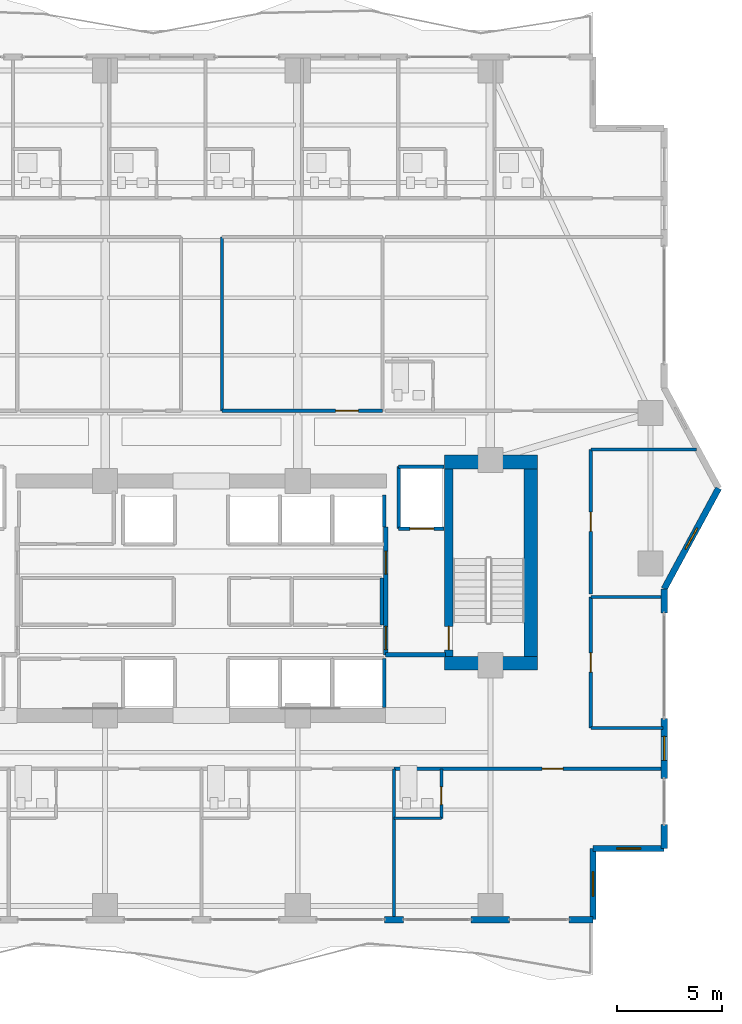
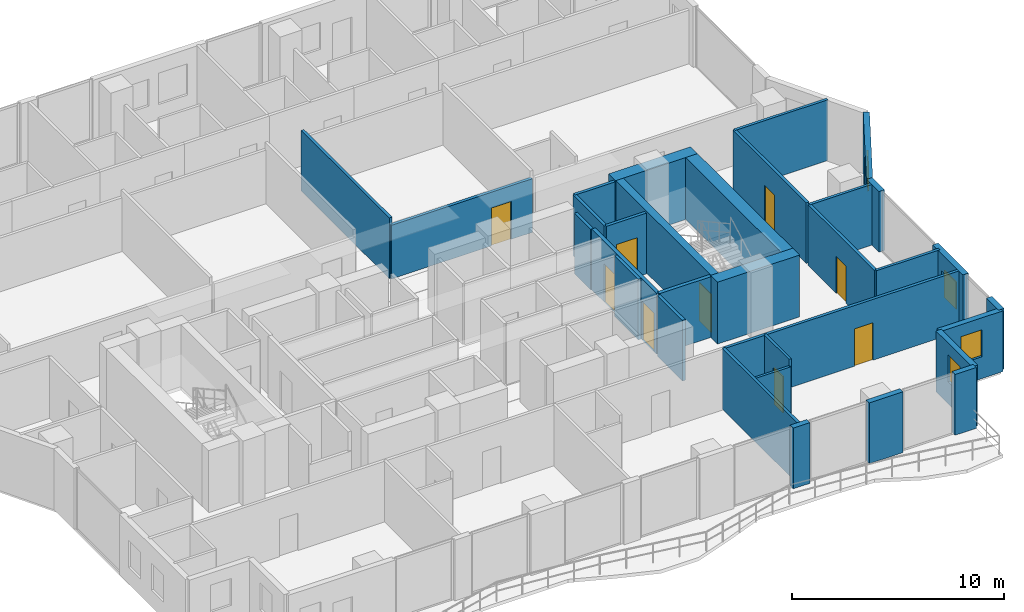
# One storey, part 26 of 33: 32 walls, 9 doors, 4 windows, 13 openings.
"""IFC4 building model written with IfcOpenShell, lengths in metres."""

from ifc_helpers import new_model, si_unit, direction, frame, frame_2d, origin, place, context, subcontext, project, spatial, rectangle, extrude, material, layer, layer_set, type_object, element, fill, save


model = new_model("IFC4")

# Units and contexts
model_context = context("Model", 3, precision=1e-05, world=origin(), true_north=direction((0.0, 1.0)))
body_context = subcontext(model_context, "Body", "Model", "MODEL_VIEW")
ifc_project = project(units=[si_unit("LENGTHUNIT", "METRE"), si_unit("AREAUNIT", "SQUARE_METRE"), si_unit("VOLUMEUNIT", "CUBIC_METRE"), si_unit("PLANEANGLEUNIT", "RADIAN"), si_unit("MASSUNIT", "GRAM", prefix="KILO")], contexts=[model_context])

# Site, building, storey
site_placement = place(None, origin())
site = spatial("IfcSite", under=ifc_project, at=site_placement, CompositionType="ELEMENT")
building_placement = place(site_placement, origin())
building = spatial("IfcBuilding", under=site, at=building_placement, Name="Zuhayl Quay Hotel", CompositionType="ELEMENT")
storey_placement = place(building_placement, frame((0.0, 0.0, 229.89990234375)))
storey = spatial("IfcBuildingStorey", under=building, at=storey_placement, Name="L58", CompositionType="ELEMENT", Elevation=229.89990234375)

# Walls
ifc_material_1 = material(Name="Concrete C50/60", Category="concrete")
ifc_layer_1 = layer(ifc_material_1, 0.64990234375, Name="Concrete C50/60", Category="concrete")
ifc_layer_set_1 = layer_set([ifc_layer_1], Name="Concrete C50/60")
wall_type_1 = type_object("IfcWallType", Name="WL_CORE_650", PredefinedType="SHEAR", material=ifc_layer_set_1)
wall_1_placement = place(storey_placement, frame((11.60009765625, 14.2548828125, 0.0), z_axis=(0.0, 0.0, 1.0), x_axis=(1.0, 0.0, 0.0)))
element("IfcWall", 1, at=wall_1_placement, inside=storey, type_object=wall_type_1, Name="L58 Core Shear Wall CW_NE", PredefinedType="SHEAR", context=body_context, shape_type="SweptSolid", body=[
    extrude(rectangle(XDim=4.4599609375, YDim=0.64990234375, at=frame_2d((2.22998046875, 0.0))), origin(), (0.0, 0.0, 1.0), 3.56005859375),
])
wall_2_placement = place(storey_placement, frame((15.735107421875, 4.969970703125, 0.0), z_axis=(0.0, 0.0, 1.0), x_axis=(0.0, 1.0, 0.0)))
element("IfcWall", 2, at=wall_2_placement, inside=storey, type_object=wall_type_1, Name="L58 Core Shear Wall CW_E", PredefinedType="SHEAR", context=body_context, shape_type="SweptSolid", body=[
    extrude(rectangle(XDim=8.9599609375, YDim=0.64990234375, at=frame_2d((4.47998046875, 0.0))), origin(), (0.0, 0.0, 1.0), 3.56005859375),
])
wall_3_placement = place(storey_placement, frame((11.60009765625, 4.64501953125, 0.0), z_axis=(0.0, 0.0, 1.0), x_axis=(1.0, 0.0, 0.0)))
element("IfcWall", 3, at=wall_3_placement, inside=storey, type_object=wall_type_1, Name="L58 Core Shear Wall CW_SE", PredefinedType="SHEAR", context=body_context, shape_type="SweptSolid", body=[
    extrude(rectangle(XDim=4.4599609375, YDim=0.64990234375, at=frame_2d((2.22998046875, 0.0))), origin(), (0.0, 0.0, 1.0), 3.56005859375),
])

# Wall, opening, window
ifc_material_2 = material(Name="Precast concrete C45/55", Category="concrete")
ifc_layer_2 = layer(ifc_material_2, 0.300048828125, Name="Precast concrete C45/55", Category="concrete")
ifc_layer_set_2 = layer_set([ifc_layer_2], Name="Precast concrete C45/55")
wall_type_2 = type_object("IfcWallType", Name="WL_EXT_300", PredefinedType="STANDARD", material=ifc_layer_set_2)
wall_4_placement = place(storey_placement, frame((24.699951171875, 13.0, 0.0), z_axis=(0.0, 0.0, 1.0), x_axis=(-0.476258655584, -0.879305233114, 0.0)))
wall_4 = element("IfcWall", 4, at=wall_4_placement, inside=storey, type_object=wall_type_2, Name="L58 Exterior Precast Wall ENV_L58_EW13", PredefinedType="STANDARD", context=body_context, shape_type="SweptSolid", body=[
    extrude(rectangle(XDim=5.458984375, YDim=0.300048828125, at=frame_2d((2.7294921875, 0.0))), origin(), (0.0, 0.0, 1.0), 3.489990234375),
])
opening_1_placement = place(wall_4_placement, frame((2.154541015625, 0.0, 1.25)))
opening_1 = element("IfcOpeningElement", 5, at=opening_1_placement, cuts=wall_4, Name="Opening W01N", PredefinedType="OPENING", context=body_context, shape_type="SweptSolid", body=[
    extrude(rectangle(XDim=1.14990234375, YDim=1.550048828125, at=frame_2d((0.574951171875, 0.77490234375))), frame((0.0, 0.159912109375, 0.0), z_axis=(0.0, -1.0, 0.0), x_axis=(1.0, 0.0, 0.0)), (0.0, 0.0, 1.0), 0.320068359375),
])
ifc_material_3 = material(Name="Dark Ceramic-Fritted Solar Glass", Category="glass")
window_type = type_object("IfcWindowType", Name="WN_NOTCH_1350", PartitioningType="SINGLE_PANEL", PredefinedType="WINDOW", material=ifc_material_3)
window_1_placement = place(opening_1_placement, origin())
window_1 = element("IfcWindow", 6, at=window_1_placement, inside=storey, type_object=window_type, Name="L58 Corner Notch Window 13", OverallHeight=1.550048828125, OverallWidth=1.14990234375, PartitioningType="SINGLE_PANEL", PredefinedType="WINDOW", context=body_context, shape_type="SweptSolid", body=[
    extrude(rectangle(XDim=1.14990234375, YDim=1.550048828125, at=frame_2d((0.574951171875, 0.77490234375))), frame((0.0, 0.030029296875, 0.0), z_axis=(0.0, -1.0, 0.0), x_axis=(1.0, 0.0, 0.0)), (0.0, 0.0, 1.0), 0.06005859375),
])
fill(opening_1, window_1)

# Wall
wall_5_placement = place(storey_placement, frame((22.10009765625, 8.199951171875, 0.0), z_axis=(0.0, 0.0, 1.0), x_axis=(0.0, -1.0, 0.0)))
element("IfcWall", 7, at=wall_5_placement, inside=storey, type_object=wall_type_2, Name="L58 Exterior Precast Wall ENV_L58_E14_EW1", PredefinedType="STANDARD", context=body_context, shape_type="SweptSolid", body=[
    extrude(rectangle(XDim=1.14990234375, YDim=0.300048828125, at=frame_2d((0.574951171875, 0.0))), origin(), (0.0, 0.0, 1.0), 3.489990234375),
])

# Wall, opening, window
wall_6_placement = place(storey_placement, frame((22.10009765625, 2.0, 0.0), z_axis=(0.0, 0.0, 1.0), x_axis=(0.0, -1.0, 0.0)))
wall_6 = element("IfcWall", 8, at=wall_6_placement, inside=storey, type_object=wall_type_2, Name="L58 Exterior Precast Wall ENV_L58_E14_EW2", PredefinedType="STANDARD", context=body_context, shape_type="SweptSolid", body=[
    extrude(rectangle(XDim=2.85009765625, YDim=0.300048828125, at=frame_2d((1.425048828125, 0.0))), origin(), (0.0, 0.0, 1.0), 3.489990234375),
])
opening_2_placement = place(wall_6_placement, frame((0.85009765625, 0.0, 0.949951171875)))
opening_2 = element("IfcOpeningElement", 9, at=opening_2_placement, cuts=wall_6, Name="Opening W01N", PredefinedType="OPENING", context=body_context, shape_type="SweptSolid", body=[
    extrude(rectangle(XDim=1.14990234375, YDim=1.550048828125, at=frame_2d((0.574951171875, 0.77490234375))), frame((0.0, 0.159912109375, 0.0), z_axis=(0.0, -1.0, 0.0), x_axis=(1.0, 0.0, 0.0)), (0.0, 0.0, 1.0), 0.320068359375),
])
window_2_placement = place(opening_2_placement, origin())
window_2 = element("IfcWindow", 10, at=window_2_placement, inside=storey, type_object=window_type, Name="L58 Operable Facade Window 2-1", OverallHeight=1.550048828125, OverallWidth=1.14990234375, PartitioningType="SINGLE_PANEL", PredefinedType="WINDOW", context=body_context, shape_type="SweptSolid", body=[
    extrude(rectangle(XDim=1.14990234375, YDim=1.550048828125, at=frame_2d((0.574951171875, 0.77490234375))), frame((0.0, 0.030029296875, 0.0), z_axis=(0.0, -1.0, 0.0), x_axis=(1.0, 0.0, 0.0)), (0.0, 0.0, 1.0), 0.06005859375),
])
fill(opening_2, window_2)

# Wall
wall_7_placement = place(storey_placement, frame((22.10009765625, -3.050048828125, 0.0), z_axis=(0.0, 0.0, 1.0), x_axis=(0.0, -1.0, 0.0)))
element("IfcWall", 11, at=wall_7_placement, inside=storey, type_object=wall_type_2, Name="L58 Exterior Precast Wall ENV_L58_E14_EW3", PredefinedType="STANDARD", context=body_context, shape_type="SweptSolid", body=[
    extrude(rectangle(XDim=1.14990234375, YDim=0.300048828125, at=frame_2d((0.574951171875, 0.0))), origin(), (0.0, 0.0, 1.0), 3.489990234375),
])

# Wall, opening, window
wall_8_placement = place(storey_placement, frame((22.10009765625, -4.199951171875, 0.0), z_axis=(0.0, 0.0, 1.0), x_axis=(-1.0, 0.0, 0.0)))
wall_8 = element("IfcWall", 12, at=wall_8_placement, inside=storey, type_object=wall_type_2, Name="L58 Exterior Precast Wall ENV_L58_EW15", PredefinedType="STANDARD", context=body_context, shape_type="SweptSolid", body=[
    extrude(rectangle(XDim=3.400146484375, YDim=0.300048828125, at=frame_2d((1.7001953125, 0.0))), origin(), (0.0, 0.0, 1.0), 3.489990234375),
])
opening_3_placement = place(wall_8_placement, frame((1.125, 0.0, 1.25)))
opening_3 = element("IfcOpeningElement", 13, at=opening_3_placement, cuts=wall_8, Name="Opening W01N", PredefinedType="OPENING", context=body_context, shape_type="SweptSolid", body=[
    extrude(rectangle(XDim=1.14990234375, YDim=1.550048828125, at=frame_2d((0.574951171875, 0.77490234375))), frame((0.0, 0.159912109375, 0.0), z_axis=(0.0, -1.0, 0.0), x_axis=(1.0, 0.0, 0.0)), (0.0, 0.0, 1.0), 0.320068359375),
])
window_3_placement = place(opening_3_placement, origin())
window_3 = element("IfcWindow", 14, at=window_3_placement, inside=storey, type_object=window_type, Name="L58 Corner Notch Window 15", OverallHeight=1.550048828125, OverallWidth=1.14990234375, PartitioningType="SINGLE_PANEL", PredefinedType="WINDOW", context=body_context, shape_type="SweptSolid", body=[
    extrude(rectangle(XDim=1.14990234375, YDim=1.550048828125, at=frame_2d((0.574951171875, 0.77490234375))), frame((0.0, 0.030029296875, 0.0), z_axis=(0.0, -1.0, 0.0), x_axis=(1.0, 0.0, 0.0)), (0.0, 0.0, 1.0), 0.06005859375),
])
fill(opening_3, window_3)

wall_9_placement = place(storey_placement, frame((18.699951171875, -4.199951171875, 0.0), z_axis=(0.0, 0.0, 1.0), x_axis=(0.0, -1.0, 0.0)))
wall_9 = element("IfcWall", 15, at=wall_9_placement, inside=storey, type_object=wall_type_2, Name="L58 Exterior Precast Wall ENV_L58_EW16", PredefinedType="STANDARD", context=body_context, shape_type="SweptSolid", body=[
    extrude(rectangle(XDim=3.400146484375, YDim=0.300048828125, at=frame_2d((1.7001953125, 0.0))), origin(), (0.0, 0.0, 1.0), 3.489990234375),
])
opening_4_placement = place(wall_9_placement, frame((1.125, 0.0, 1.25)))
opening_4 = element("IfcOpeningElement", 16, at=opening_4_placement, cuts=wall_9, Name="Opening W01N", PredefinedType="OPENING", context=body_context, shape_type="SweptSolid", body=[
    extrude(rectangle(XDim=1.14990234375, YDim=1.550048828125, at=frame_2d((0.574951171875, 0.77490234375))), frame((0.0, 0.159912109375, 0.0), z_axis=(0.0, -1.0, 0.0), x_axis=(1.0, 0.0, 0.0)), (0.0, 0.0, 1.0), 0.320068359375),
])
window_4_placement = place(opening_4_placement, origin())
window_4 = element("IfcWindow", 17, at=window_4_placement, inside=storey, type_object=window_type, Name="L58 Corner Notch Window 16", OverallHeight=1.550048828125, OverallWidth=1.14990234375, PartitioningType="SINGLE_PANEL", PredefinedType="WINDOW", context=body_context, shape_type="SweptSolid", body=[
    extrude(rectangle(XDim=1.14990234375, YDim=1.550048828125, at=frame_2d((0.574951171875, 0.77490234375))), frame((0.0, 0.030029296875, 0.0), z_axis=(0.0, -1.0, 0.0), x_axis=(1.0, 0.0, 0.0)), (0.0, 0.0, 1.0), 0.06005859375),
])
fill(opening_4, window_4)

# Walls
wall_10_placement = place(storey_placement, frame((18.699951171875, -7.60009765625, 0.0), z_axis=(0.0, 0.0, 1.0), x_axis=(-1.0, 0.0, 0.0)))
element("IfcWall", 18, at=wall_10_placement, inside=storey, type_object=wall_type_2, Name="L58 Exterior Precast Wall ENV_L58_S_EW1", PredefinedType="STANDARD", context=body_context, shape_type="SweptSolid", body=[
    extrude(rectangle(XDim=1.14990234375, YDim=0.300048828125, at=frame_2d((0.574951171875, 0.0))), origin(), (0.0, 0.0, 1.0), 3.489990234375),
])
wall_11_placement = place(storey_placement, frame((14.719970703125, -7.60009765625, 0.0), z_axis=(0.0, 0.0, 1.0), x_axis=(-1.0, 0.0, 0.0)))
element("IfcWall", 19, at=wall_11_placement, inside=storey, type_object=wall_type_2, Name="L58 Exterior Precast Wall ENV_L58_S_EW2", PredefinedType="STANDARD", context=body_context, shape_type="SweptSolid", body=[
    extrude(rectangle(XDim=1.840087890625, YDim=0.300048828125, at=frame_2d((0.919921875, 0.0))), origin(), (0.0, 0.0, 1.0), 3.489990234375),
])
wall_12_placement = place(storey_placement, frame((9.64990234375, -7.60009765625, 0.0), z_axis=(0.0, 0.0, 1.0), x_axis=(-1.0, 0.0, 0.0)))
element("IfcWall", 20, at=wall_12_placement, inside=storey, type_object=wall_type_2, Name="L58 Exterior Precast Wall ENV_L58_S_EW3", PredefinedType="STANDARD", context=body_context, shape_type="SweptSolid", body=[
    extrude(rectangle(XDim=0.89990234375, YDim=0.300048828125, at=frame_2d((0.449951171875, 0.0))), origin(), (0.0, 0.0, 1.0), 3.489990234375),
])
ifc_material_4 = material(Name="Acoustic Gypsum Partition STC-58")
ifc_layer_3 = layer(ifc_material_4, 0.14990234375, Name="Acoustic Gypsum Partition STC-58")
ifc_layer_set_3 = layer_set([ifc_layer_3], Name="Acoustic Gypsum Partition STC-58")
wall_type_3 = type_object("IfcWallType", Name="WL_PART_150", PredefinedType="PARTITIONING", material=ifc_layer_set_3)
wall_13_placement = place(storey_placement, frame((8.610107421875, 6.47998046875, 0.0), z_axis=(0.0, 0.0, 1.0), x_axis=(0.0, 1.0, 0.0)))
element("IfcWall", 21, at=wall_13_placement, inside=storey, type_object=wall_type_3, Name="L58 Partition IW_L58_CORE_LN_E", PredefinedType="PARTITIONING", context=body_context, shape_type="SweptSolid", body=[
    extrude(rectangle(XDim=2.239990234375, YDim=0.14990234375, at=frame_2d((1.1201171875, 0.0))), origin(), (0.0, 0.0, 1.0), 3.489990234375),
])
wall_14_placement = place(storey_placement, frame((0.97998046875, 16.699951171875, 0.0), z_axis=(0.0, 0.0, 1.0), x_axis=(0.0, 1.0, 0.0)))
element("IfcWall", 22, at=wall_14_placement, inside=storey, type_object=wall_type_3, Name="L58 Partition IW_L58_Z3_MID_E_W", PredefinedType="PARTITIONING", context=body_context, shape_type="SweptSolid", body=[
    extrude(rectangle(XDim=8.300048828125, YDim=0.14990234375, at=frame_2d((4.14990234375, 0.0))), origin(), (0.0, 0.0, 1.0), 3.489990234375),
])
wall_15_placement = place(storey_placement, frame((9.199951171875, -7.52001953125, 0.0), z_axis=(0.0, 0.0, 1.0), x_axis=(0.0, 1.0, 0.0)))
element("IfcWall", 23, at=wall_15_placement, inside=storey, type_object=wall_type_3, Name="L58 Partition IW_L58_SU03_E", PredefinedType="PARTITIONING", context=body_context, shape_type="SweptSolid", body=[
    extrude(rectangle(XDim=7.1201171875, YDim=0.14990234375, at=frame_2d((3.56005859375, 0.0))), origin(), (0.0, 0.0, 1.0), 3.489990234375),
])
for number, where, z_axis, x_axis, name in (
    (24, (18.60009765625, 1.550048828125, 0.0), (0.0, 0.0, 1.0), (1.0, 0.0, 0.0), "L58 Partition IW_L58_HK_MAIN_S"),
    (25, (18.60009765625, 7.800048828125, 0.0), (0.0, 0.0, 1.0), (1.0, 0.0, 0.0), "L58 Partition IW_L58_HK_MAIN_N"),
):
    element("IfcWall", number, at=place(storey_placement, frame(where, z_axis=z_axis, x_axis=x_axis)), inside=storey, type_object=wall_type_3, Name=name, PredefinedType="PARTITIONING", context=body_context, shape_type="SweptSolid", body=[
        extrude(rectangle(XDim=3.43994140625, YDim=0.14990234375, at=frame_2d((1.719970703125, 0.0))), origin(), (0.0, 0.0, 1.0), 3.489990234375),
    ])
wall_16_placement = place(storey_placement, frame((18.60009765625, 14.85009765625, 0.0), z_axis=(0.0, 0.0, 1.0), x_axis=(1.0, 0.0, 0.0)))
element("IfcWall", 26, at=wall_16_placement, inside=storey, type_object=wall_type_3, Name="L58 Partition IW_L58_EFLK_2_N", PredefinedType="PARTITIONING", context=body_context, shape_type="SweptSolid", body=[
    extrude(rectangle(XDim=5.037841796875, YDim=0.14990234375, at=frame_2d((2.51904296875, 0.0))), origin(), (0.0, 0.0, 1.0), 3.489990234375),
])

# Wall, opening, door
ifc_layer_4 = layer(ifc_material_4, 0.159912109375, Name="Acoustic Gypsum Partition STC-58")
ifc_layer_set_4 = layer_set([ifc_layer_4], Name="Acoustic Gypsum Partition STC-58")
wall_type_4 = type_object("IfcWallType", Name="WL_PART_CORR_160", PredefinedType="PARTITIONING", material=ifc_layer_set_4)
wall_17_placement = place(storey_placement, frame((0.97998046875, 16.699951171875, 0.0), z_axis=(0.0, 0.0, 1.0), x_axis=(1.0, 0.0, 0.0)))
wall_17 = element("IfcWall", 27, at=wall_17_placement, inside=storey, type_object=wall_type_4, Name="L58 Partition IW_L58_Z3_MID_E_S", PredefinedType="PARTITIONING", context=body_context, shape_type="SweptSolid", body=[
    extrude(rectangle(XDim=7.659912109375, YDim=0.159912109375, at=frame_2d((3.830078125, 0.0))), origin(), (0.0, 0.0, 1.0), 3.083984375),
])
opening_5_placement = place(wall_17_placement, frame((5.429931640625, 0.0, 0.0)))
opening_5 = element("IfcOpeningElement", 28, at=opening_5_placement, cuts=wall_17, Name="Opening D05A", PredefinedType="OPENING", context=body_context, shape_type="SweptSolid", body=[
    extrude(rectangle(XDim=1.080078125, YDim=2.179931640625, at=frame_2d((0.5400390625, 1.08984375))), frame((0.0, 0.08984375, 0.0), z_axis=(0.0, -1.0, 0.0), x_axis=(1.0, 0.0, 0.0)), (0.0, 0.0, 1.0), 0.179931640625),
])
ifc_material_5 = material(Name="Solid Walnut Acoustic Fire Door")
door_type_1 = type_object("IfcDoorType", Name="DR_INT_1100", OperationType="NOTDEFINED", PredefinedType="DOOR", material=ifc_material_5)
door_1_placement = place(opening_5_placement, origin())
door_1 = element("IfcDoor", 29, at=door_1_placement, inside=storey, type_object=door_type_1, Name="L58 Horizon Screening Salon Door", OperationType="SINGLE_SWING_LEFT", OverallHeight=2.179931640625, OverallWidth=1.080078125, PredefinedType="DOOR", context=body_context, shape_type="SweptSolid", body=[
    extrude(rectangle(XDim=1.080078125, YDim=2.179931640625, at=frame_2d((0.5400390625, 1.08984375))), frame((0.0, 0.02490234375, 0.0), z_axis=(0.0, -1.0, 0.0), x_axis=(1.0, 0.0, 0.0)), (0.0, 0.0, 1.0), 0.050048828125),
])
fill(opening_5, door_1)

wall_18_placement = place(storey_placement, frame((9.199951171875, -0.39990234375, 0.0), z_axis=(0.0, 0.0, 1.0), x_axis=(1.0, 0.0, 0.0)))
wall_18 = element("IfcWall", 30, at=wall_18_placement, inside=storey, type_object=wall_type_4, Name="L58 Partition IW_L58_SU04_COR", PredefinedType="PARTITIONING", context=body_context, shape_type="SweptSolid", body=[
    extrude(rectangle(XDim=12.840087890625, YDim=0.159912109375, at=frame_2d((6.419921875, 0.0))), origin(), (0.0, 0.0, 1.0), 3.489990234375),
])
opening_6_placement = place(wall_18_placement, frame((7.070068359375, 0.0, 0.0)))
opening_6 = element("IfcOpeningElement", 31, at=opening_6_placement, cuts=wall_18, Name="Opening D03L", PredefinedType="OPENING", context=body_context, shape_type="SweptSolid", body=[
    extrude(rectangle(XDim=1.0, YDim=2.14990234375, at=frame_2d((0.5, 1.074951171875))), frame((0.0, 0.08984375, 0.0), z_axis=(0.0, -1.0, 0.0), x_axis=(1.0, 0.0, 0.0)), (0.0, 0.0, 1.0), 0.179931640625),
])
door_type_2 = type_object("IfcDoorType", Name="DR_SUITE_1000", OperationType="NOTDEFINED", PredefinedType="DOOR", material=ifc_material_5)
door_2_placement = place(opening_6_placement, origin())
door_2 = element("IfcDoor", 32, at=door_2_placement, inside=storey, type_object=door_type_2, Name="L58 City-View Junior Suite L58-04 Entrance Door", OperationType="SINGLE_SWING_LEFT", OverallHeight=2.14990234375, OverallWidth=1.0, PredefinedType="DOOR", context=body_context, shape_type="SweptSolid", body=[
    extrude(rectangle(XDim=1.0, YDim=2.14990234375, at=frame_2d((0.5, 1.074951171875))), frame((0.0, 0.02490234375, 0.0), z_axis=(0.0, -1.0, 0.0), x_axis=(1.0, 0.0, 0.0)), (0.0, 0.0, 1.0), 0.050048828125),
])
fill(opening_6, door_2)

wall_19_placement = place(storey_placement, frame((18.60009765625, 1.550048828125, 0.0), z_axis=(0.0, 0.0, 1.0), x_axis=(0.0, 1.0, 0.0)))
wall_19 = element("IfcWall", 33, at=wall_19_placement, inside=storey, type_object=wall_type_4, Name="L58 Partition IW_L58_HK_MAIN_W", PredefinedType="PARTITIONING", context=body_context, shape_type="SweptSolid", body=[
    extrude(rectangle(XDim=6.25, YDim=0.159912109375, at=frame_2d((3.125, 0.0))), origin(), (0.0, 0.0, 1.0), 3.489990234375),
])
opening_7_placement = place(wall_19_placement, frame((2.6650390625, 0.0, 0.0)))
opening_7 = element("IfcOpeningElement", 34, at=opening_7_placement, cuts=wall_19, Name="Opening D05", PredefinedType="OPENING", context=body_context, shape_type="SweptSolid", body=[
    extrude(rectangle(XDim=0.919921875, YDim=2.1201171875, at=frame_2d((0.4599609375, 1.06005859375))), frame((0.0, 0.08984375, 0.0), z_axis=(0.0, -1.0, 0.0), x_axis=(1.0, 0.0, 0.0)), (0.0, 0.0, 1.0), 0.179931640625),
])
door_type_3 = type_object("IfcDoorType", Name="DR_INT_950", OperationType="NOTDEFINED", PredefinedType="DOOR", material=ifc_material_5)
door_3_placement = place(opening_7_placement, origin())
door_3 = element("IfcDoor", 35, at=door_3_placement, inside=storey, type_object=door_type_3, Name="L58 Housekeeping and Linen Room Door", OperationType="SINGLE_SWING_RIGHT", OverallHeight=2.1201171875, OverallWidth=0.919921875, PredefinedType="DOOR", context=body_context, shape_type="SweptSolid", body=[
    extrude(rectangle(XDim=0.919921875, YDim=2.1201171875, at=frame_2d((0.4599609375, 1.06005859375))), frame((0.0, 0.02490234375, 0.0), z_axis=(0.0, -1.0, 0.0), x_axis=(1.0, 0.0, 0.0)), (0.0, 0.0, 1.0), 0.050048828125),
])
fill(opening_7, door_3)

wall_20_placement = place(storey_placement, frame((18.60009765625, 7.9599609375, 0.0), z_axis=(0.0, 0.0, 1.0), x_axis=(0.0, 1.0, 0.0)))
wall_20 = element("IfcWall", 36, at=wall_20_placement, inside=storey, type_object=wall_type_4, Name="L58 Partition IW_L58_EFLK_2_W", PredefinedType="PARTITIONING", context=body_context, shape_type="SweptSolid", body=[
    extrude(rectangle(XDim=6.89013671875, YDim=0.159912109375, at=frame_2d((3.445068359375, 0.0))), origin(), (0.0, 0.0, 1.0), 3.489990234375),
])
opening_8_placement = place(wall_20_placement, frame((2.985107421875, 0.0, 0.0)))
opening_8 = element("IfcOpeningElement", 37, at=opening_8_placement, cuts=wall_20, Name="Opening D05", PredefinedType="OPENING", context=body_context, shape_type="SweptSolid", body=[
    extrude(rectangle(XDim=0.919921875, YDim=2.1201171875, at=frame_2d((0.4599609375, 1.06005859375))), frame((0.0, 0.08984375, 0.0), z_axis=(0.0, -1.0, 0.0), x_axis=(1.0, 0.0, 0.0)), (0.0, 0.0, 1.0), 0.179931640625),
])
door_4_placement = place(opening_8_placement, origin())
door_4 = element("IfcDoor", 38, at=door_4_placement, inside=storey, type_object=door_type_3, Name="L58 Floor Beverage and Ice Pantry Door", OperationType="SINGLE_SWING_LEFT", OverallHeight=2.1201171875, OverallWidth=0.919921875, PredefinedType="DOOR", context=body_context, shape_type="SweptSolid", body=[
    extrude(rectangle(XDim=0.919921875, YDim=2.1201171875, at=frame_2d((0.4599609375, 1.06005859375))), frame((0.0, 0.02490234375, 0.0), z_axis=(0.0, -1.0, 0.0), x_axis=(1.0, 0.0, 0.0)), (0.0, 0.0, 1.0), 0.050048828125),
])
fill(opening_8, door_4)

ifc_material_6 = material(Name="Moisture-Resistant Sanitarychase Gypsum")
ifc_layer_5 = layer(ifc_material_6, 0.135009765625, Name="Moisture-Resistant Sanitarychase Gypsum")
ifc_layer_set_5 = layer_set([ifc_layer_5], Name="Moisture-Resistant Sanitarychase Gypsum")
wall_type_5 = type_object("IfcWallType", Name="WL_PART_PLUMB_150", PredefinedType="PLUMBINGWALL", material=ifc_layer_set_5)
wall_21_placement = place(storey_placement, frame((11.4599609375, -2.760009765625, 0.0), z_axis=(0.0, 0.0, 1.0), x_axis=(0.0, 1.0, 0.0)))
wall_21 = element("IfcWall", 39, at=wall_21_placement, inside=storey, type_object=wall_type_5, Name="L58 Partition IW_L58_SU04_BE", PredefinedType="PLUMBINGWALL", context=body_context, shape_type="SweptSolid", body=[
    extrude(rectangle(XDim=2.360107421875, YDim=0.135009765625, at=frame_2d((1.18017578125, 0.0))), origin(), (0.0, 0.0, 1.0), 3.489990234375),
])
opening_9_placement = place(wall_21_placement, frame((0.64990234375, 0.0, 0.0)))
opening_9 = element("IfcOpeningElement", 40, at=opening_9_placement, cuts=wall_21, Name="Opening D04", PredefinedType="OPENING", context=body_context, shape_type="SweptSolid", body=[
    extrude(rectangle(XDim=0.85009765625, YDim=2.10009765625, at=frame_2d((0.425048828125, 1.050048828125))), frame((0.0, 0.077392578125, 0.0), z_axis=(0.0, -1.0, 0.0), x_axis=(1.0, 0.0, 0.0)), (0.0, 0.0, 1.0), 0.155029296875),
])
ifc_material_7 = material(Name="Moisture-Resistant Walnut Veneer")
door_type_4 = type_object("IfcDoorType", Name="DR_BATH_850", OperationType="NOTDEFINED", PredefinedType="DOOR", material=ifc_material_7)
door_5_placement = place(opening_9_placement, origin())
door_5 = element("IfcDoor", 41, at=door_5_placement, inside=storey, type_object=door_type_4, Name="L58 City-View Junior Suite L58-04 En-Suite Door", OperationType="SINGLE_SWING_RIGHT", OverallHeight=2.10009765625, OverallWidth=0.85009765625, PredefinedType="DOOR", context=body_context, shape_type="SweptSolid", body=[
    extrude(rectangle(XDim=0.85009765625, YDim=2.10009765625, at=frame_2d((0.425048828125, 1.050048828125))), frame((0.0, 0.02490234375, 0.0), z_axis=(0.0, -1.0, 0.0), x_axis=(1.0, 0.0, 0.0)), (0.0, 0.0, 1.0), 0.050048828125),
])
fill(opening_9, door_5)

# Wall
wall_22_placement = place(storey_placement, frame((9.199951171875, -2.760009765625, 0.0), z_axis=(0.0, 0.0, 1.0), x_axis=(1.0, 0.0, 0.0)))
element("IfcWall", 42, at=wall_22_placement, inside=storey, type_object=wall_type_5, Name="L58 Partition IW_L58_SU04_BS", PredefinedType="PLUMBINGWALL", context=body_context, shape_type="SweptSolid", body=[
    extrude(rectangle(XDim=2.260009765625, YDim=0.135009765625, at=frame_2d((1.1298828125, 0.0))), origin(), (0.0, 0.0, 1.0), 3.083984375),
])

# Wall, opening, door
ifc_material_8 = material(Name="Gypsum Fireboard Assembly EI-90")
ifc_layer_6 = layer(ifc_material_8, 0.1650390625, Name="Gypsum Fireboard Assembly EI-90")
ifc_layer_set_6 = layer_set([ifc_layer_6], Name="Gypsum Fireboard Assembly EI-90")
wall_type_6 = type_object("IfcWallType", Name="WL_PART_SHAFT_160", PredefinedType="PARTITIONING", material=ifc_layer_set_6)
wall_23_placement = place(storey_placement, frame((9.419921875, 11.070068359375, 0.0), z_axis=(0.0, 0.0, 1.0), x_axis=(1.0, 0.0, 0.0)))
wall_23 = element("IfcWall", 43, at=wall_23_placement, inside=storey, type_object=wall_type_6, Name="L58 Partition IW_L58_SH_FL2_F", PredefinedType="PARTITIONING", context=body_context, shape_type="SweptSolid", body=[
    extrude(rectangle(XDim=2.16015625, YDim=0.1650390625, at=frame_2d((1.080078125, 0.0))), origin(), (0.0, 0.0, 1.0), 3.489990234375),
])
opening_10_placement = place(wall_23_placement, frame((0.530029296875, 0.0, 0.0)))
opening_10 = element("IfcOpeningElement", 44, at=opening_10_placement, cuts=wall_23, Name="Opening LD2", PredefinedType="OPENING", context=body_context, shape_type="SweptSolid", body=[
    extrude(rectangle(XDim=1.14990234375, YDim=2.25, at=frame_2d((0.574951171875, 1.125))), frame((0.0, 0.092529296875, 0.0), z_axis=(0.0, -1.0, 0.0), x_axis=(1.0, 0.0, 0.0)), (0.0, 0.0, 1.0), 0.18505859375),
])
ifc_material_9 = material(Name="Brushed Stainless Steel", Category="steel")
door_type_5 = type_object("IfcDoorType", Name="DR_LIFT_FF_1100", OperationType="SLIDING_TO_LEFT", PredefinedType="DOOR", material=ifc_material_9)
door_6_placement = place(opening_10_placement, origin())
door_6 = element("IfcDoor", 45, at=door_6_placement, inside=storey, type_object=door_type_5, Name="L58 Lift FL2 Sliding Landing Door", OperationType="SLIDING_TO_LEFT", OverallHeight=2.25, OverallWidth=1.14990234375, PredefinedType="DOOR", context=body_context, shape_type="SweptSolid", body=[
    extrude(rectangle(XDim=1.14990234375, YDim=2.25, at=frame_2d((0.574951171875, 1.125))), frame((0.0, 0.02490234375, 0.0), z_axis=(0.0, -1.0, 0.0), x_axis=(1.0, 0.0, 0.0)), (0.0, 0.0, 1.0), 0.050048828125),
])
fill(opening_10, door_6)

# Walls
wall_24_placement = place(storey_placement, frame((9.419921875, 11.070068359375, 0.0), z_axis=(0.0, 0.0, 1.0), x_axis=(0.0, 1.0, 0.0)))
element("IfcWall", 46, at=wall_24_placement, inside=storey, type_object=wall_type_6, Name="L58 Partition IW_L58_SH_FL2_W", PredefinedType="PARTITIONING", context=body_context, shape_type="SweptSolid", body=[
    extrude(rectangle(XDim=2.9599609375, YDim=0.1650390625, at=frame_2d((1.47998046875, 0.0))), origin(), (0.0, 0.0, 1.0), 3.489990234375),
])
wall_25_placement = place(storey_placement, frame((9.419921875, 14.030029296875, 0.0), z_axis=(0.0, 0.0, 1.0), x_axis=(1.0, 0.0, 0.0)))
element("IfcWall", 47, at=wall_25_placement, inside=storey, type_object=wall_type_6, Name="L58 Partition IW_L58_SH_FL2_B", PredefinedType="PARTITIONING", context=body_context, shape_type="SweptSolid", body=[
    extrude(rectangle(XDim=2.16015625, YDim=0.1650390625, at=frame_2d((1.080078125, 0.0))), origin(), (0.0, 0.0, 1.0), 3.489990234375),
])
wall_26_placement = place(storey_placement, frame((8.72998046875, 2.52001953125, 0.0), z_axis=(0.0, 0.0, 1.0), x_axis=(0.0, 1.0, 0.0)))
element("IfcWall", 48, at=wall_26_placement, inside=storey, type_object=wall_type_6, Name="L58 Partition IW_L58_SH_HP2_E", PredefinedType="PARTITIONING", context=body_context, shape_type="SweptSolid", body=[
    extrude(rectangle(XDim=2.35986328125, YDim=0.1650390625, at=frame_2d((1.179931640625, 0.0))), origin(), (0.0, 0.0, 1.0), 3.489990234375),
])
wall_27_placement = place(storey_placement, frame((8.72998046875, 11.14990234375, 0.0), z_axis=(0.0, 0.0, 1.0), x_axis=(0.0, 1.0, 0.0)))
element("IfcWall", 49, at=wall_27_placement, inside=storey, type_object=wall_type_6, Name="L58 Partition IW_L58_SH_HP4_E", PredefinedType="PARTITIONING", context=body_context, shape_type="SweptSolid", body=[
    extrude(rectangle(XDim=1.530029296875, YDim=0.1650390625, at=frame_2d((0.76513671875, 0.0))), origin(), (0.0, 0.0, 1.0), 3.489990234375),
])

# Wall, openings, doors
ifc_material_10 = material(Name="Gypsum Fireboard Assembly EI-120")
ifc_layer_7 = layer(ifc_material_10, 0.199951171875, Name="Gypsum Fireboard Assembly EI-120")
ifc_layer_set_7 = layer_set([ifc_layer_7], Name="Gypsum Fireboard Assembly EI-120")
wall_type_7 = type_object("IfcWallType", Name="WL_PART_SHAFT_200", PredefinedType="PARTITIONING", material=ifc_layer_set_7)
wall_28_placement = place(storey_placement, frame((8.800048828125, 11.14990234375, 0.0), z_axis=(0.0, 0.0, 1.0), x_axis=(0.0, -1.0, 0.0)))
wall_28 = element("IfcWall", 50, at=wall_28_placement, inside=storey, type_object=wall_type_7, Name="L58 Partition IW_L58_FSAE_E_W", PredefinedType="PARTITIONING", context=body_context, shape_type="SweptSolid", body=[
    extrude(rectangle(XDim=6.099853515625, YDim=0.199951171875, at=frame_2d((3.0498046875, 0.0))), origin(), (0.0, 0.0, 1.0), 3.489990234375),
])
opening_11_placement = place(wall_28_placement, frame((1.14990234375, 0.0, 0.0)))
opening_11 = element("IfcOpeningElement", 51, at=opening_11_placement, cuts=wall_28, Name="Opening D02", PredefinedType="OPENING", context=body_context, shape_type="SweptSolid", body=[
    extrude(rectangle(XDim=1.10009765625, YDim=2.199951171875, at=frame_2d((0.550048828125, 1.10009765625))), frame((0.0, 0.10986328125, 0.0), z_axis=(0.0, -1.0, 0.0), x_axis=(1.0, 0.0, 0.0)), (0.0, 0.0, 1.0), 0.219970703125),
])
opening_12_placement = place(wall_28_placement, frame((4.75, 0.0, 0.0)))
opening_12 = element("IfcOpeningElement", 52, at=opening_12_placement, cuts=wall_28, Name="Opening D02", PredefinedType="OPENING", context=body_context, shape_type="SweptSolid", body=[
    extrude(rectangle(XDim=1.10009765625, YDim=2.199951171875, at=frame_2d((0.550048828125, 1.10009765625))), frame((0.0, 0.10986328125, 0.0), z_axis=(0.0, -1.0, 0.0), x_axis=(1.0, 0.0, 0.0)), (0.0, 0.0, 1.0), 0.219970703125),
])
ifc_material_11 = material(Name="Steel ASTM A992 Grade 50", Category="steel")
door_type_6 = type_object("IfcDoorType", Name="DR_FIRE_90_1100", OperationType="NOTDEFINED", PredefinedType="DOOR", material=ifc_material_11)
door_7_placement = place(opening_11_placement, origin())
door_7 = element("IfcDoor", 53, at=door_7_placement, inside=storey, type_object=door_type_6, Name="L58 FSAE Lobby East North Entry Door", OperationType="SINGLE_SWING_LEFT", OverallHeight=2.199951171875, OverallWidth=1.10009765625, PredefinedType="DOOR", context=body_context, shape_type="SweptSolid", body=[
    extrude(rectangle(XDim=1.10009765625, YDim=2.199951171875, at=frame_2d((0.550048828125, 1.10009765625))), frame((0.0, 0.02490234375, 0.0), z_axis=(0.0, -1.0, 0.0), x_axis=(1.0, 0.0, 0.0)), (0.0, 0.0, 1.0), 0.050048828125),
])
fill(opening_11, door_7)
door_8_placement = place(opening_12_placement, origin())
door_8 = element("IfcDoor", 54, at=door_8_placement, inside=storey, type_object=door_type_6, Name="L58 FSAE Lobby East South Entry Door", OperationType="SINGLE_SWING_RIGHT", OverallHeight=2.199951171875, OverallWidth=1.10009765625, PredefinedType="DOOR", context=body_context, shape_type="SweptSolid", body=[
    extrude(rectangle(XDim=1.10009765625, YDim=2.199951171875, at=frame_2d((0.550048828125, 1.10009765625))), frame((0.0, 0.02490234375, 0.0), z_axis=(0.0, -1.0, 0.0), x_axis=(1.0, 0.0, 0.0)), (0.0, 0.0, 1.0), 0.050048828125),
])
fill(opening_12, door_8)

# Wall
wall_29_placement = place(storey_placement, frame((8.800048828125, 5.050048828125, 0.0), z_axis=(0.0, 0.0, 1.0), x_axis=(1.0, 0.0, 0.0)))
element("IfcWall", 55, at=wall_29_placement, inside=storey, type_object=wall_type_7, Name="L58 Partition IW_L58_FSAE_E_S", PredefinedType="PARTITIONING", context=body_context, shape_type="SweptSolid", body=[
    extrude(rectangle(XDim=2.849853515625, YDim=0.199951171875, at=frame_2d((1.4248046875, 0.0))), origin(), (0.0, 0.0, 1.0), 3.489990234375),
])

# Wall, opening, door
ifc_material_12 = material(Name="Concrete C60/75", Category="concrete")
ifc_layer_8 = layer(ifc_material_12, 0.39990234375, Name="Concrete C60/75", Category="concrete")
ifc_layer_set_8 = layer_set([ifc_layer_8], Name="Concrete C60/75")
wall_type_8 = type_object("IfcWallType", Name="WL_STAIR_400", PredefinedType="SHEAR", material=ifc_layer_set_8)
wall_30_placement = place(storey_placement, frame((11.820068359375, 13.929931640625, 0.0), z_axis=(0.0, 0.0, 1.0), x_axis=(0.0, -1.0, 0.0)))
wall_30 = element("IfcWall", 56, at=wall_30_placement, inside=storey, type_object=wall_type_8, Name="L58 Core Shear Wall SW_ST2", PredefinedType="SHEAR", context=body_context, shape_type="SweptSolid", body=[
    extrude(rectangle(XDim=8.9599609375, YDim=0.39990234375, at=frame_2d((4.47998046875, 0.0))), origin(), (0.0, 0.0, 1.0), 3.56005859375),
])
opening_13_placement = place(wall_30_placement, frame((7.530029296875, 0.0, 0.0)))
opening_13 = element("IfcOpeningElement", 57, at=opening_13_placement, cuts=wall_30, Name="Opening D01", PredefinedType="OPENING", context=body_context, shape_type="SweptSolid", body=[
    extrude(rectangle(XDim=1.1201171875, YDim=2.219970703125, at=frame_2d((0.56005859375, 1.10986328125))), frame((0.0, 0.2099609375, 0.0), z_axis=(0.0, -1.0, 0.0), x_axis=(1.0, 0.0, 0.0)), (0.0, 0.0, 1.0), 0.419921875),
])
door_type_7 = type_object("IfcDoorType", Name="DR_STAIR_90_1100", OperationType="NOTDEFINED", PredefinedType="DOOR", material=ifc_material_11)
door_9_placement = place(opening_13_placement, origin())
door_9 = element("IfcDoor", 58, at=door_9_placement, inside=storey, type_object=door_type_7, Name="L58 Smokeproof Exit Stair ST2 Door", OperationType="SINGLE_SWING_RIGHT", OverallHeight=2.219970703125, OverallWidth=1.1201171875, PredefinedType="DOOR", context=body_context, shape_type="SweptSolid", body=[
    extrude(rectangle(XDim=1.1201171875, YDim=2.219970703125, at=frame_2d((0.56005859375, 1.10986328125))), frame((0.0, 0.02490234375, 0.0), z_axis=(0.0, -1.0, 0.0), x_axis=(1.0, 0.0, 0.0)), (0.0, 0.0, 1.0), 0.050048828125),
])
fill(opening_13, door_9)

save(model, "model.ifc")
